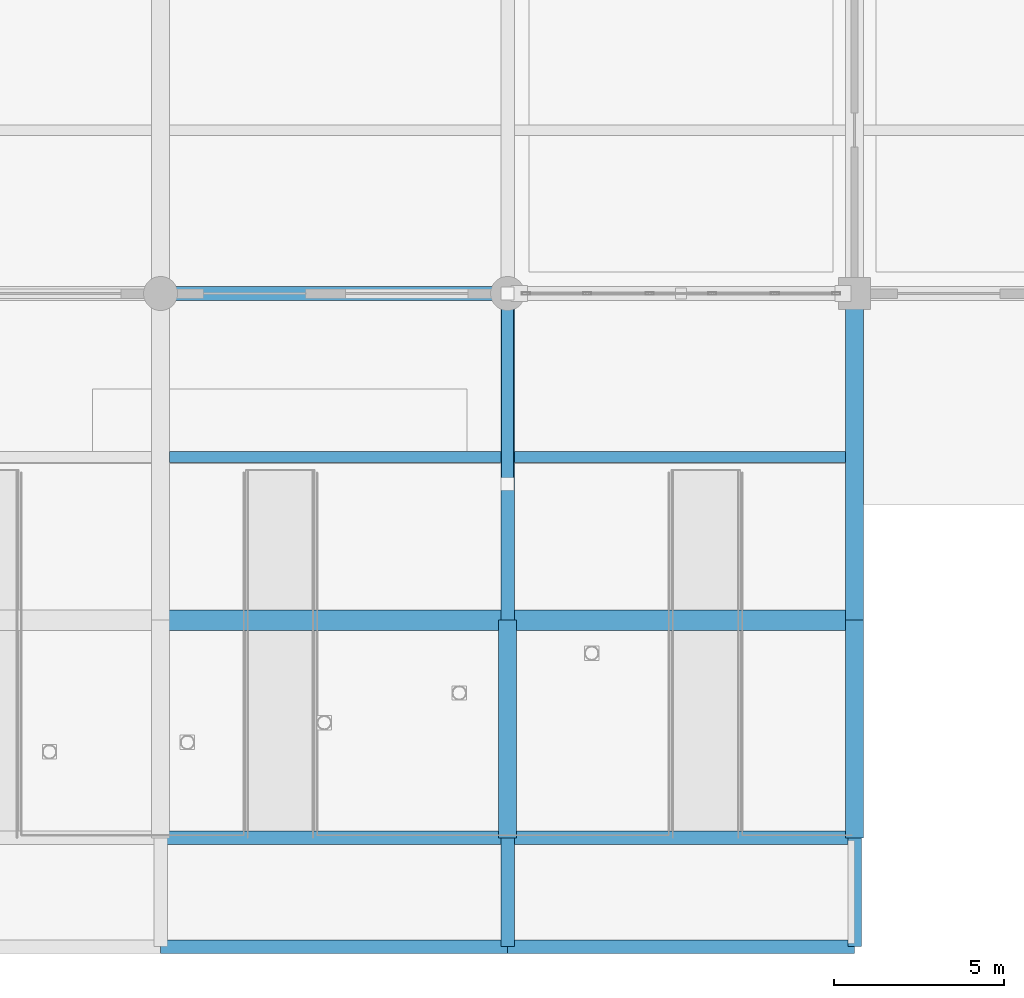
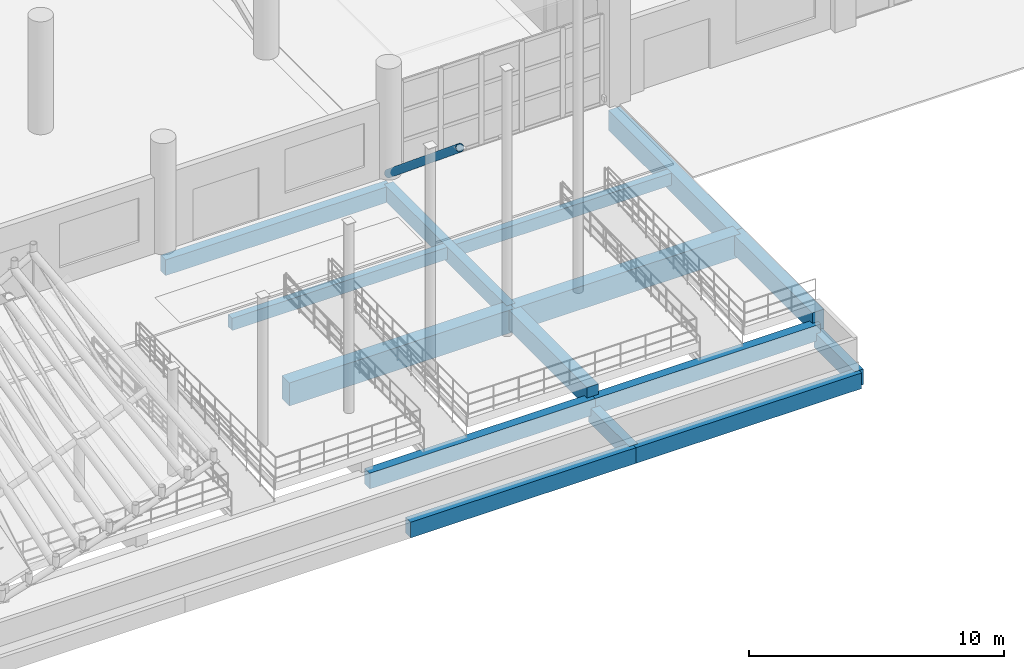
# One storey, part 53 of 124: 15 beams, 1 member.
"""IFC4 building model written with IfcOpenShell, lengths in metres."""

from ifc_helpers import new_model, si_unit, direction, frame, origin, origin_2d, place, context, subcontext, project, spatial, rectangle, hollow_circle, extrude, material, material_profile, profile_set, type_object, element, save


model = new_model("IFC4")

# Units and contexts
model_context = context("Model", 3, precision=1e-05, world=origin(), true_north=direction((0.0, 1.0)))
body_context = subcontext(model_context, "Body", "Model", "MODEL_VIEW")
ifc_project = project(units=[si_unit("LENGTHUNIT", "METRE"), si_unit("AREAUNIT", "SQUARE_METRE"), si_unit("VOLUMEUNIT", "CUBIC_METRE"), si_unit("PLANEANGLEUNIT", "RADIAN"), si_unit("MASSUNIT", "GRAM", prefix="KILO")], contexts=[model_context])

# Site, building, storey
site_placement = place(None, origin())
site = spatial("IfcSite", under=ifc_project, at=site_placement, CompositionType="ELEMENT")
building_placement = place(site_placement, origin())
building = spatial("IfcBuilding", under=site, at=building_placement, Name="Brelvane Convention Centre", CompositionType="ELEMENT")
storey_placement = place(building_placement, origin())
storey = spatial("IfcBuildingStorey", under=building, at=storey_placement, Name="L00", CompositionType="ELEMENT", Elevation=0.0)

# Beams
ifc_material_1 = material(Name="Concrete M50", Category="concrete")
ifc_material_profile_1 = material_profile(ifc_material_1, rectangle(XDim=0.60009765625, YDim=1.10009765625, at=origin_2d()), Name="RC 600x1100")
ifc_profile_set_1 = profile_set([ifc_material_profile_1], Name="Concrete M50")
beam_type_1 = type_object("IfcBeamType", Name="RC Beam B-RC2 (RC 600x1100)", PredefinedType="BEAM", material=ifc_profile_set_1)
for number, where, z_axis, x_axis, name in (
    (1, (153.0, 9.60009765625, -0.949951171875), (1.0, 0.0, 0.0), (0.0, 1.0, 0.0), "L00 Beam 16-17/B"),
    (2, (163.199951171875, 9.60009765625, -0.949951171875), (1.0, 0.0, 0.0), (0.0, 1.0, 0.0), "L00 Beam 17-18/B"),
):
    element("IfcBeam", number, at=place(storey_placement, frame(where, z_axis=z_axis, x_axis=x_axis)), inside=storey, type_object=beam_type_1, Name=name, PredefinedType="BEAM", context=body_context, shape_type="SweptSolid", body=[
        extrude(rectangle(XDim=0.60009765625, YDim=1.10009765625, at=origin_2d()), origin(), (0.0, 0.0, 1.0), 10.199951171875),
    ])
ifc_material_2 = material(Name="Concrete M50", Category="concrete")
ifc_material_profile_2 = material_profile(ifc_material_2, rectangle(XDim=0.52001953125, YDim=0.949951171875, at=origin_2d()), Name="RC 520x950")
ifc_profile_set_2 = profile_set([ifc_material_profile_2], Name="Concrete M50")
beam_type_2 = type_object("IfcBeamType", Name="RC Beam B-RC9 (RC 520x950)", PredefinedType="BEAM", material=ifc_profile_set_2)
for number, where, z_axis, x_axis, name in (
    (3, (163.199951171875, 3.199951171875, -0.875), (0.0, 1.0, 0.0), (-1.0, 0.0, 0.0), "L00 Plaza Step Tie Girder 7"),
    (4, (173.39990234375, 3.199951171875, -0.875), (0.0, 1.0, 0.0), (-1.0, 0.0, 0.0), "L00 Plaza Step Tie Girder 8"),
):
    element("IfcBeam", number, at=place(storey_placement, frame(where, z_axis=z_axis, x_axis=x_axis)), inside=storey, type_object=beam_type_2, Name=name, PredefinedType="BEAM", context=body_context, shape_type="SweptSolid", body=[
        extrude(rectangle(XDim=0.52001953125, YDim=0.949951171875, at=origin_2d()), origin(), (0.0, 0.0, 1.0), 6.400146484375),
    ])
beam_1_placement = place(storey_placement, frame((173.39990234375, 9.60009765625, -0.875), z_axis=(0.0, 1.0, 0.0), x_axis=(-1.0, 0.0, 0.0)))
element("IfcBeam", 5, at=beam_1_placement, inside=storey, type_object=beam_type_2, Name="L00 Girder 18/B-C", PredefinedType="BEAM", context=body_context, shape_type="SweptSolid", body=[
    extrude(rectangle(XDim=0.52001953125, YDim=0.949951171875, at=origin_2d()), origin(), (0.0, 0.0, 1.0), 9.599853515625),
])
ifc_material_3 = material(Name="Concrete M40", Category="concrete")
ifc_material_profile_3 = material_profile(ifc_material_3, rectangle(XDim=0.320068359375, YDim=0.580078125, at=origin_2d()), Name="RC 320x580")
ifc_profile_set_3 = profile_set([ifc_material_profile_3], Name="Concrete M40")
beam_type_3 = type_object("IfcBeamType", Name="RC Joist J-RC3 (RC 320x580)", PredefinedType="JOIST", material=ifc_profile_set_3)
for number, where, z_axis, x_axis, name in (
    (6, (153.260009765625, 14.39990234375, -0.68994140625), (1.0, 0.0, 0.0), (0.0, 1.0, 0.0), "L00 Secondary Joist 16-17/BC"),
    (7, (163.39990234375, 14.39990234375, -0.68994140625), (1.0, 0.0, 0.0), (0.0, 1.0, 0.0), "L00 Secondary Joist 17-18/BC"),
):
    element("IfcBeam", number, at=place(storey_placement, frame(where, z_axis=z_axis, x_axis=x_axis)), inside=storey, type_object=beam_type_3, Name=name, PredefinedType="JOIST", context=body_context, shape_type="SweptSolid", body=[
        extrude(rectangle(XDim=0.320068359375, YDim=0.580078125, at=origin_2d()), origin(), (0.0, 0.0, 1.0), 9.739990234375),
    ])
ifc_material_4 = material(Name="Concrete M40", Category="concrete")
ifc_material_profile_4 = material_profile(ifc_material_4, rectangle(XDim=0.39990234375, YDim=0.75, at=origin_2d()), Name="RC 400x750")
ifc_profile_set_4 = profile_set([ifc_material_profile_4], Name="Concrete M40")
beam_type_4 = type_object("IfcBeamType", Name="RC Spandrel SP-RC1 (RC 400x750)", PredefinedType="SPANDREL", material=ifc_profile_set_4)
for number, where, z_axis, x_axis, name in (
    (8, (153.0, 3.199951171875, -1.27490234375), (1.0, 0.0, 0.0), (0.0, 1.0, 0.0), "L00 Plaza Step Edge Spandrel 6"),
    (9, (153.0, 0.0, -1.675048828125), (1.0, 0.0, 0.0), (0.0, 1.0, 0.0), "L00 Lower Promenade Edge Spandrel 6"),
):
    element("IfcBeam", number, at=place(storey_placement, frame(where, z_axis=z_axis, x_axis=x_axis)), inside=storey, type_object=beam_type_4, Name=name, PredefinedType="SPANDREL", context=body_context, shape_type="SweptSolid", body=[
        extrude(rectangle(XDim=0.39990234375, YDim=0.75, at=origin_2d()), origin(), (0.0, 0.0, 1.0), 10.199951171875),
    ])
beam_2_placement = place(storey_placement, frame((163.199951171875, 0.0, -1.675048828125), z_axis=(0.0, 1.0, 0.0), x_axis=(-1.0, 0.0, 0.0)))
element("IfcBeam", 10, at=beam_2_placement, inside=storey, type_object=beam_type_4, Name="L00 Lower Promenade Rib 7", PredefinedType="SPANDREL", context=body_context, shape_type="SweptSolid", body=[
    extrude(rectangle(XDim=0.39990234375, YDim=0.75, at=origin_2d()), origin(), (0.0, 0.0, 1.0), 3.199951171875),
])
for number, where, z_axis, x_axis, name in (
    (11, (163.199951171875, 3.199951171875, -1.27490234375), (1.0, 0.0, 0.0), (0.0, 1.0, 0.0), "L00 Plaza Step Edge Spandrel 7"),
    (12, (163.199951171875, 0.0, -1.675048828125), (1.0, 0.0, 0.0), (0.0, 1.0, 0.0), "L00 Lower Promenade Edge Spandrel 7"),
):
    element("IfcBeam", number, at=place(storey_placement, frame(where, z_axis=z_axis, x_axis=x_axis)), inside=storey, type_object=beam_type_4, Name=name, PredefinedType="SPANDREL", context=body_context, shape_type="SweptSolid", body=[
        extrude(rectangle(XDim=0.39990234375, YDim=0.75, at=origin_2d()), origin(), (0.0, 0.0, 1.0), 10.199951171875),
    ])
beam_3_placement = place(storey_placement, frame((173.39990234375, 0.0, -1.675048828125), z_axis=(0.0, 1.0, 0.0), x_axis=(-1.0, 0.0, 0.0)))
element("IfcBeam", 13, at=beam_3_placement, inside=storey, type_object=beam_type_4, Name="L00 Lower Promenade Rib 8", PredefinedType="SPANDREL", context=body_context, shape_type="SweptSolid", body=[
    extrude(rectangle(XDim=0.39990234375, YDim=0.75, at=origin_2d()), origin(), (0.0, 0.0, 1.0), 3.199951171875),
])
beam_4_placement = place(storey_placement, frame((153.0, 19.199951171875, -0.77490234375), z_axis=(1.0, 0.0, 0.0), x_axis=(0.0, 1.0, 0.0)))
element("IfcBeam", 14, at=beam_4_placement, inside=storey, type_object=beam_type_4, Name="L00 Beam 16-17/C", PredefinedType="SPANDREL", context=body_context, shape_type="SweptSolid", body=[
    extrude(rectangle(XDim=0.39990234375, YDim=0.75, at=origin_2d()), origin(), (0.0, 0.0, 1.0), 10.199951171875),
])
beam_5_placement = place(storey_placement, frame((163.199951171875, 9.60009765625, -0.77490234375), z_axis=(0.0, 1.0, 0.0), x_axis=(-1.0, 0.0, 0.0)))
element("IfcBeam", 15, at=beam_5_placement, inside=storey, type_object=beam_type_4, Name="L00 Girder 17/B-C", PredefinedType="SPANDREL", context=body_context, shape_type="SweptSolid", body=[
    extrude(rectangle(XDim=0.39990234375, YDim=0.75, at=origin_2d()), origin(), (0.0, 0.0, 1.0), 9.599853515625),
])

# Member
ifc_material_5 = material(Name="Steel E450 (450 MPa)", Category="steel")
ifc_material_profile_5 = material_profile(ifc_material_5, hollow_circle(Radius=0.177734375, WallThickness=0.01611328125, at=origin_2d()), Name="CHS 355.6x16.0")
ifc_profile_set_5 = profile_set([ifc_material_profile_5], Name="Steel E450 (450 MPa)")
member_type = type_object("IfcMemberType", Name="Steel Strut HS-ST1 (CHS 355.6x16.0)", PredefinedType="STRUT", material=ifc_profile_set_5)
member_placement = place(storey_placement, frame((163.199951171875, 19.199951171875, 0.050048828125), z_axis=(0.0, -0.770696995363, 0.637201805819), x_axis=(1.0, 0.0, 0.0)))
element("IfcMember", 16, at=member_placement, inside=storey, type_object=member_type, Name="Hull Overhang Raked Strut L00 V1-17", PredefinedType="STRUT", context=body_context, shape_type="SweptSolid", body=[
    extrude(hollow_circle(Radius=0.177734375, WallThickness=0.01611328125, at=origin_2d()), origin(), (0.0, 0.0, 1.0), 7.265869140625),
])

save(model, "model.ifc")
